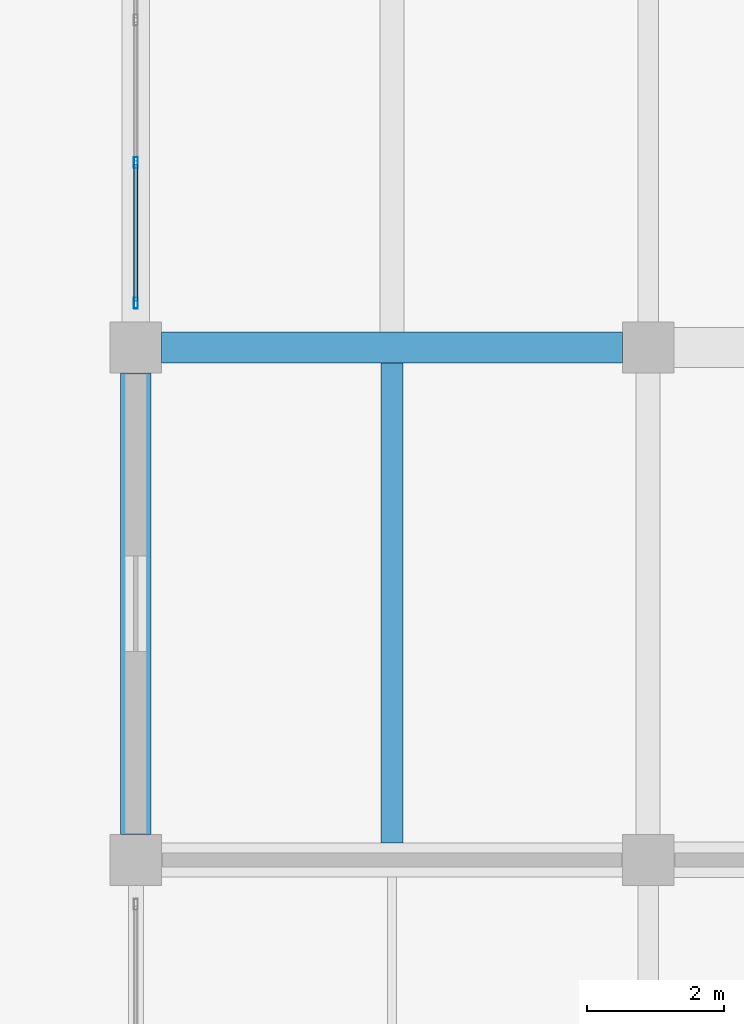
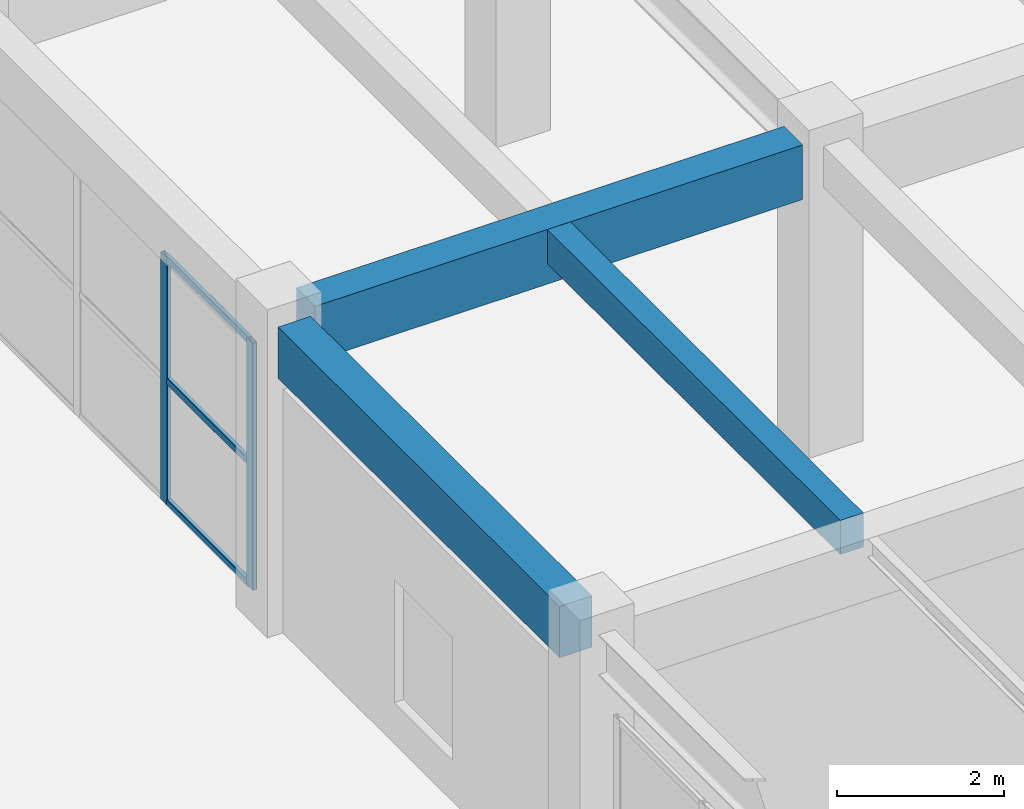
# One storey, part 49 of 122: 5 members, 3 beams, 1 element without a shape of its own.
"""IFC4 building model written with IfcOpenShell, lengths in metres."""

from ifc_helpers import new_model, si_unit, direction, frame, origin, origin_2d, place, context, subcontext, project, spatial, rectangle, hollow_rectangle, extrude, material, material_profile, profile_set, type_object, element, aggregate, save


model = new_model("IFC4")

# Units and contexts
model_context = context("Model", 3, precision=1e-05, world=origin(), true_north=direction((0.0, 1.0)))
body_context = subcontext(model_context, "Body", "Model", "MODEL_VIEW")
ifc_project = project(units=[si_unit("LENGTHUNIT", "METRE"), si_unit("AREAUNIT", "SQUARE_METRE"), si_unit("VOLUMEUNIT", "CUBIC_METRE"), si_unit("PLANEANGLEUNIT", "RADIAN"), si_unit("MASSUNIT", "GRAM", prefix="KILO")], contexts=[model_context])

# Site, building, storey
site_placement = place(None, origin())
site = spatial("IfcSite", under=ifc_project, at=site_placement, CompositionType="ELEMENT")
building_placement = place(site_placement, origin())
building = spatial("IfcBuilding", under=site, at=building_placement, Name="Qasida Concert Hall", CompositionType="ELEMENT")
storey_placement = place(building_placement, origin())
storey = spatial("IfcBuildingStorey", under=building, at=storey_placement, Name="L00", CompositionType="ELEMENT", Elevation=0.0)

# Beams
ifc_material_1 = material(Name="Concrete C40/50", Category="concrete")
ifc_material_profile_1 = material_profile(ifc_material_1, rectangle(XDim=0.449951171875, YDim=0.800048828125, at=origin_2d()), Name="RC 450x800")
ifc_profile_set_1 = profile_set([ifc_material_profile_1], Name="Concrete C40/50")
beam_type_1 = type_object("IfcBeamType", Name="BM-G2", PredefinedType="USERDEFINED", material=ifc_profile_set_1)
beam_1_placement = place(storey_placement, frame((120.375, 97.5, 4.10009765625), z_axis=(1.0, 0.0, 0.0), x_axis=(0.0, 1.0, 0.0)))
element("IfcBeam", 1, at=beam_1_placement, inside=storey, type_object=beam_type_1, Name="Primary girder 0607", ObjectType="GIRDER", PredefinedType="USERDEFINED", context=body_context, shape_type="SweptSolid", body=[
    extrude(rectangle(XDim=0.449951171875, YDim=0.800048828125, at=origin_2d()), origin(), (0.0, 0.0, 1.0), 6.75),
])
ifc_material_profile_2 = material_profile(ifc_material_1, rectangle(XDim=0.320068359375, YDim=0.5, at=origin_2d()), Name="RC 320x500")
ifc_profile_set_2 = profile_set([ifc_material_profile_2], Name="Concrete C40/50")
beam_type_2 = type_object("IfcBeamType", Name="BM-J7", PredefinedType="JOIST", material=ifc_profile_set_2)
beam_2_placement = place(storey_placement, frame((123.75, 90.25, 4.25), z_axis=(0.0, 1.0, 0.0), x_axis=(-1.0, 0.0, 0.0)))
element("IfcBeam", 2, at=beam_2_placement, inside=storey, type_object=beam_type_2, Name="L00 secondary joist 0662", PredefinedType="JOIST", context=body_context, shape_type="SweptSolid", body=[
    extrude(rectangle(XDim=0.320068359375, YDim=0.5, at=origin_2d()), origin(), (0.0, 0.0, 1.0), 7.02490234375),
])
ifc_material_profile_3 = material_profile(ifc_material_1, rectangle(XDim=0.449951171875, YDim=0.75, at=origin_2d()), Name="RC 450x750")
ifc_profile_set_3 = profile_set([ifc_material_profile_3], Name="Concrete C40/50")
beam_type_3 = type_object("IfcBeamType", Name="BM-SP4", PredefinedType="SPANDREL", material=ifc_profile_set_3)
beam_3_placement = place(storey_placement, frame((120.0, 90.375, 4.125), z_axis=(0.0, 1.0, 0.0), x_axis=(-1.0, 0.0, 0.0)))
element("IfcBeam", 3, at=beam_3_placement, inside=storey, type_object=beam_type_3, Name="L00 girder 0627", PredefinedType="SPANDREL", context=body_context, shape_type="SweptSolid", body=[
    extrude(rectangle(XDim=0.449951171875, YDim=0.75, at=origin_2d()), origin(), (0.0, 0.0, 1.0), 6.75),
])

# Curtain wall, members
ifc_material_2 = material(Name="Architectural bronze-anodized aluminium and low-E glass", Category="aluminium")
curtain_wall_type = type_object("IfcCurtainWallType", Name="CW-09", PredefinedType="NOTDEFINED", material=ifc_material_2)
curtain_wall_placement = place(storey_placement, origin())
curtain_wall = element("IfcCurtainWall", 4, at=curtain_wall_placement, inside=storey, type_object=curtain_wall_type, Name="L00 curtain wall CW-09 0158", PredefinedType="NOTDEFINED")
ifc_material_3 = material(Name="Architectural bronze-anodized aluminium EN AW-6063", Category="aluminium")
ifc_material_profile_4 = material_profile(ifc_material_3, hollow_rectangle(XDim=0.06005859375, YDim=0.159912109375, WallThickness=0.00390625, InnerFilletRadius=0.00390625, OuterFilletRadius=0.008056640625, at=origin_2d()), Name="CWM 160x60x4")
ifc_profile_set_4 = profile_set([ifc_material_profile_4], Name="Architectural bronze-anodized aluminium EN AW-6063")
member_type_1 = type_object("IfcMemberType", Name="MB-CWM-3", PredefinedType="MULLION", material=ifc_profile_set_4)
member_1_placement = place(storey_placement, frame((120.0, 98.14990234375, 0.0), z_axis=(0.0, 0.0, 1.0), x_axis=(-1.0, 0.0, 0.0)))
member_1 = element("IfcMember", 5, at=member_1_placement, type_object=member_type_1, Name="CW-09 mullion 1", PredefinedType="MULLION", context=body_context, shape_type="SweptSolid", body=[
    extrude(hollow_rectangle(XDim=0.06005859375, YDim=0.159912109375, WallThickness=0.00390625, InnerFilletRadius=0.00390625, OuterFilletRadius=0.008056640625, at=origin_2d()), origin(), (0.0, 0.0, 1.0), 3.6201171875),
])
member_2_placement = place(storey_placement, frame((120.0, 100.206787109375, 0.0), z_axis=(0.0, 0.0, 1.0), x_axis=(-1.0, 0.0, 0.0)))
member_2 = element("IfcMember", 6, at=member_2_placement, type_object=member_type_1, Name="CW-09 mullion 2", PredefinedType="MULLION", context=body_context, shape_type="SweptSolid", body=[
    extrude(hollow_rectangle(XDim=0.06005859375, YDim=0.159912109375, WallThickness=0.00390625, InnerFilletRadius=0.00390625, OuterFilletRadius=0.008056640625, at=origin_2d()), origin(), (0.0, 0.0, 1.0), 3.6201171875),
])
ifc_material_profile_5 = material_profile(ifc_material_3, hollow_rectangle(XDim=0.06005859375, YDim=0.10009765625, WallThickness=0.00341796875, InnerFilletRadius=0.00341796875, OuterFilletRadius=0.007080078125, at=origin_2d()), Name="CWT 100x60x3.5")
ifc_profile_set_5 = profile_set([ifc_material_profile_5], Name="Architectural bronze-anodized aluminium EN AW-6063")
member_type_2 = type_object("IfcMemberType", Name="MB-CWT-3", PredefinedType="USERDEFINED", material=ifc_profile_set_5)
member_3_placement = place(storey_placement, frame((120.0, 98.179931640625, 0.030029296875), z_axis=(0.0, 1.0, 0.0), x_axis=(-1.0, 0.0, 0.0)))
member_3 = element("IfcMember", 7, at=member_3_placement, type_object=member_type_2, Name="CW-09 transom 1.1", ObjectType="TRANSOM", PredefinedType="USERDEFINED", context=body_context, shape_type="SweptSolid", body=[
    extrude(hollow_rectangle(XDim=0.06005859375, YDim=0.10009765625, WallThickness=0.00341796875, InnerFilletRadius=0.00341796875, OuterFilletRadius=0.007080078125, at=origin_2d()), origin(), (0.0, 0.0, 1.0), 1.996826171875),
])
member_4_placement = place(storey_placement, frame((120.0, 98.179931640625, 1.81005859375), z_axis=(0.0, 1.0, 0.0), x_axis=(-1.0, 0.0, 0.0)))
member_4 = element("IfcMember", 8, at=member_4_placement, type_object=member_type_2, Name="CW-09 transom 1.2", ObjectType="TRANSOM", PredefinedType="USERDEFINED", context=body_context, shape_type="SweptSolid", body=[
    extrude(hollow_rectangle(XDim=0.06005859375, YDim=0.10009765625, WallThickness=0.00341796875, InnerFilletRadius=0.00341796875, OuterFilletRadius=0.007080078125, at=origin_2d()), origin(), (0.0, 0.0, 1.0), 1.996826171875),
])
member_5_placement = place(storey_placement, frame((120.0, 98.179931640625, 3.590087890625), z_axis=(0.0, 1.0, 0.0), x_axis=(-1.0, 0.0, 0.0)))
member_5 = element("IfcMember", 9, at=member_5_placement, type_object=member_type_2, Name="CW-09 transom 1.3", ObjectType="TRANSOM", PredefinedType="USERDEFINED", context=body_context, shape_type="SweptSolid", body=[
    extrude(hollow_rectangle(XDim=0.06005859375, YDim=0.10009765625, WallThickness=0.00341796875, InnerFilletRadius=0.00341796875, OuterFilletRadius=0.007080078125, at=origin_2d()), origin(), (0.0, 0.0, 1.0), 1.996826171875),
])
aggregate(curtain_wall, [member_1, member_2, member_3, member_4, member_5])

save(model, "model.ifc")
